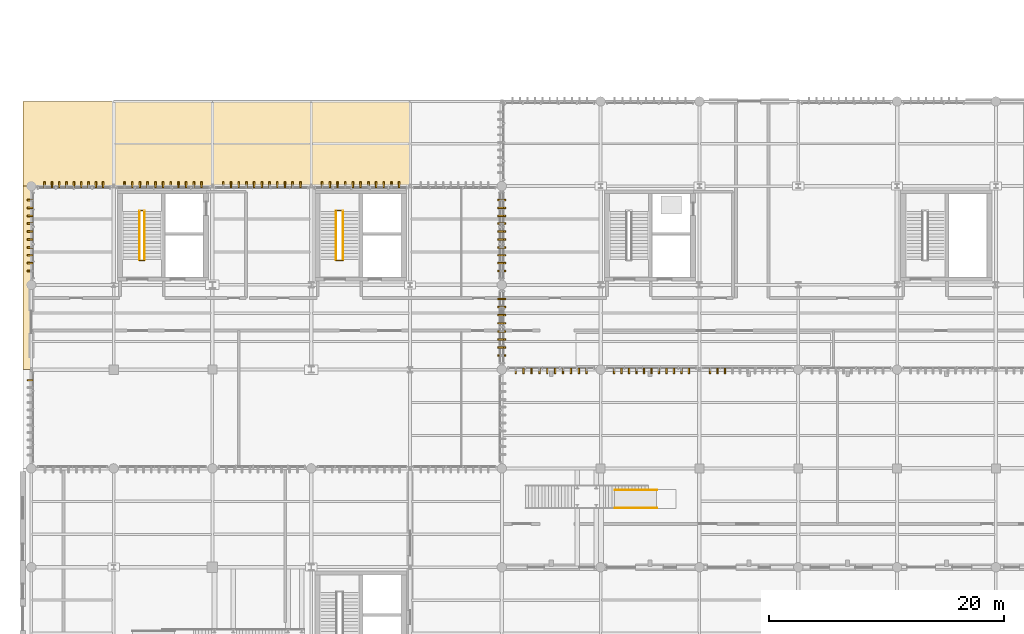
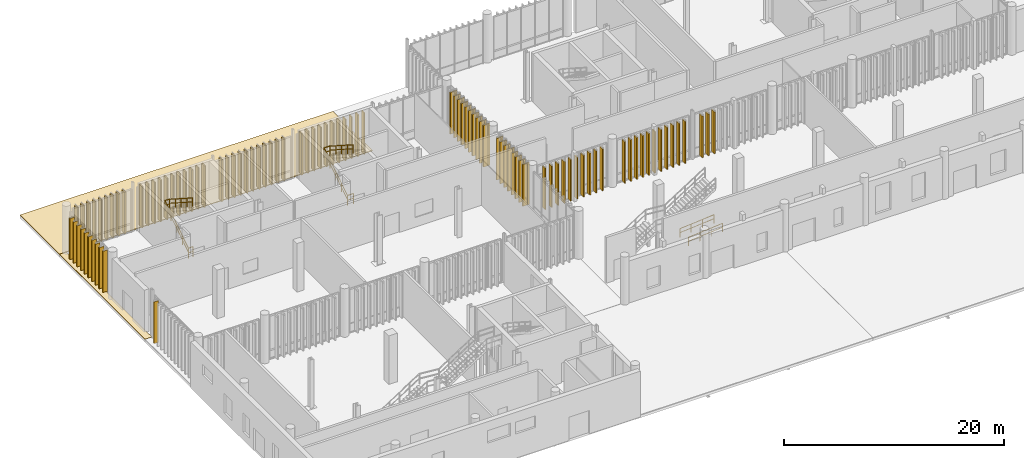
# One storey, part 103 of 112: 115 coverings, 10 railings, 2 elements without a shape of their own.
"""IFC4 building model written with IfcOpenShell, lengths in metres."""

import ifcopenshell
import ifcopenshell.guid

model = None  # the IFC model being written
_history = None  # IfcOwnerHistory: only IFC2X3 demands one
_inside = {}  # id of a spatial element -> (the spatial element, [elements in it])
_under = {}  # id of a project, library or spatial element -> (it, [spatial elements below it])
_declared = {}  # id of a project -> (the project, [libraries it declares])
_typed = {}  # id of a type object -> (the type object, [elements of that type])
_made_of = {}  # id of a material, layer set ... -> (it, [elements and type objects made of it])


def new_model(schema):
    """Start an empty IFC model of exactly this schema.

    Asked for "IFC4X3", IfcOpenShell would pick the latest addendum, in which some entities
    have other attributes; the version numbers below select the first issue.
    IFC2X3 requires an IfcOwnerHistory on every rooted entity: one is made here for all.
    """
    global model, _history
    if schema == "IFC4X3":
        model = ifcopenshell.file(schema_version=(4, 3, 0, 0))
    else:
        model = ifcopenshell.file(schema=schema)
    _inside.clear()
    _under.clear()
    _declared.clear()
    _typed.clear()
    _made_of.clear()
    _history = None
    if model.schema == "IFC2X3":
        org = make("IfcOrganization", Name="unknown")
        user = make(
            "IfcPersonAndOrganization",
            ThePerson=make("IfcPerson", FamilyName="unknown"),
            TheOrganization=org,
        )
        app = make(
            "IfcApplication",
            ApplicationDeveloper=org,
            Version="unknown",
            ApplicationFullName="unknown",
            ApplicationIdentifier="unknown",
        )
        _history = make(
            "IfcOwnerHistory",
            OwningUser=user,
            OwningApplication=app,
            ChangeAction="ADDED",
            CreationDate=0,
        )
    return model


def make(cls, **values):
    """One entity of the class cls with the attributes given. An attribute that is None is left unset."""
    return model.create_entity(
        cls, **{name: value for name, value in values.items() if value is not None}
    )


def rooted(cls, **values):
    """An entity with a GlobalId (a new one), such as an element, a storey or a relation."""
    return make(cls, GlobalId=ifcopenshell.guid.new(), OwnerHistory=_history, **values)


def si_unit(unit_type, name, prefix=None):
    """IfcSIUnit, for example si_unit("LENGTHUNIT", "METRE", prefix="MILLI")."""
    return make("IfcSIUnit", UnitType=unit_type, Prefix=prefix, Name=name)


def assignment(units):
    """IfcUnitAssignment: the units of a project."""
    return None if units is None else make("IfcUnitAssignment", Units=units)


def point(xyz):
    """IfcCartesianPoint."""
    return None if xyz is None else make("IfcCartesianPoint", Coordinates=xyz)


def direction(xyz):
    """IfcDirection."""
    return None if xyz is None else make("IfcDirection", DirectionRatios=xyz)


def frame(location, z_axis=None, x_axis=None):
    """IfcAxis2Placement3D, a coordinate frame: its origin and axes. An axis left out is left unset."""
    return make(
        "IfcAxis2Placement3D",
        Location=point(location),
        Axis=direction(z_axis),
        RefDirection=direction(x_axis),
    )


def frame_2d(location, x_axis=None):
    """IfcAxis2Placement2D, a coordinate frame in the plane: its origin and x axis."""
    return make(
        "IfcAxis2Placement2D", Location=point(location), RefDirection=direction(x_axis)
    )


def origin_with_axes():
    """The frame at (0, 0, 0) with the z axis (0, 0, 1) and the x axis (1, 0, 0) written out."""
    return frame((0.0, 0.0, 0.0), z_axis=(0.0, 0.0, 1.0), x_axis=(1.0, 0.0, 0.0))


def origin_2d_with_axis():
    """The frame at (0, 0) in the plane with the x axis (1, 0) written out."""
    return frame_2d((0.0, 0.0), x_axis=(1.0, 0.0))


def place(relative_to, where):
    """IfcLocalPlacement: puts the frame where relative to a parent placement (None: the world)."""
    return make(
        "IfcLocalPlacement", PlacementRelTo=relative_to, RelativePlacement=where
    )


def context(
    kind, dimensions, precision=None, world=None, true_north=None, identifier=None
):
    """IfcGeometricRepresentationContext, for example the 3D "Model" context."""
    return make(
        "IfcGeometricRepresentationContext",
        ContextIdentifier=identifier,
        ContextType=kind,
        CoordinateSpaceDimension=dimensions,
        Precision=precision,
        WorldCoordinateSystem=world,
        TrueNorth=true_north,
    )


def subcontext(parent, identifier, kind, view, scale=None):
    """IfcGeometricRepresentationSubContext, for example "Body" below "Model"."""
    return make(
        "IfcGeometricRepresentationSubContext",
        ContextIdentifier=identifier,
        ContextType=kind,
        ParentContext=parent,
        TargetScale=scale,
        TargetView=view,
    )


def project(units=None, contexts=None):
    """IfcProject with its units and contexts."""
    return rooted(
        "IfcProject",
        Name="project",
        RepresentationContexts=contexts,
        UnitsInContext=assignment(units),
    )


def spatial(cls, under=None, at=None, **own):
    """A site, building, storey or space (cls), placed at a placement, below another one or the project."""
    s = rooted(cls, ObjectPlacement=at, **own)
    if under is not None:
        _under.setdefault(under.id(), (under, []))[1].append(s)
    return s


def polyline(points):
    """IfcPolyline through the points."""
    return make("IfcPolyline", Points=[point(p) for p in points])


def profile(cls, at=None, kind="AREA", **sizes):
    """A parametric profile (cls). Its sizes go by their IFC names, for example OverallWidth=200.0."""
    return make(cls, ProfileType=kind, Position=at, **sizes)


def rectangle(**sizes):
    """IfcRectangleProfileDef."""
    return profile("IfcRectangleProfileDef", **sizes)


def circle(**sizes):
    """IfcCircleProfileDef."""
    return profile("IfcCircleProfileDef", **sizes)


def outline(outer, holes=None, kind="AREA"):
    """IfcArbitraryClosedProfileDef: a profile drawn as a closed curve; with holes, ...WithVoids."""
    if holes is None:
        return make("IfcArbitraryClosedProfileDef", ProfileType=kind, OuterCurve=outer)
    return make(
        "IfcArbitraryProfileDefWithVoids",
        ProfileType=kind,
        OuterCurve=outer,
        InnerCurves=holes,
    )


def extrude(swept, where, along, depth):
    """IfcExtrudedAreaSolid: the profile swept, set in the frame where, extruded along a direction by depth."""
    return make(
        "IfcExtrudedAreaSolid",
        SweptArea=swept,
        Position=where,
        ExtrudedDirection=direction(along),
        Depth=depth,
    )


def shape(context_of_items, identifier, shape_type, items):
    """IfcShapeRepresentation: the items that make up one representation, for example the "Body"."""
    return make(
        "IfcShapeRepresentation",
        ContextOfItems=context_of_items,
        RepresentationIdentifier=identifier,
        RepresentationType=shape_type,
        Items=items,
    )


def material(Name=None, Category=None):
    """IfcMaterial."""
    return make("IfcMaterial", Name=Name, Category=Category)


def made_of(thing, what):
    """Note that an element or type object is made of a material, layer set ...; save() writes the relation."""
    if what is not None:
        _made_of.setdefault(what.id(), (what, []))[1].append(thing)
    return thing


def type_object(cls, material=None, **own):
    """A type object (cls), such as IfcWallType, which elements share."""
    return made_of(rooted(cls, **own), material)


def element(
    cls,
    number,
    at=None,
    inside=None,
    cuts=None,
    type_object=None,
    material=None,
    context=None,
    identifier="Body",
    shape_type=None,
    held_by="IfcProductDefinitionShape",
    body=None,
    shapes=None,
    **own,
):
    """One element of the class cls, such as IfcWall. Its Tag is "e" and its number.

    at: its placement. inside: the storey or other place that contains it. cuts: it is an
    opening in that element (IfcRelVoidsElement). A single representation is given by context,
    identifier, shape_type and body (its items); several are given by shapes. held_by: the class
    of the entity that holds the representations. save() writes the other relations.
    """
    e = rooted(cls, Tag="e%d" % number, ObjectPlacement=at, **own)
    if body is not None:
        shapes = [shape(context, identifier, shape_type, body)]
    if shapes is not None:
        e.Representation = make(held_by, Representations=shapes)
    if inside is not None:
        _inside.setdefault(inside.id(), (inside, []))[1].append(e)
    if cuts is not None:
        rooted(
            "IfcRelVoidsElement", RelatingBuildingElement=cuts, RelatedOpeningElement=e
        )
    if type_object is not None:
        _typed.setdefault(type_object.id(), (type_object, []))[1].append(e)
    return made_of(e, material)


def aggregate(whole, parts):
    """IfcRelAggregates: a whole, such as a stair, and the parts it consists of."""
    return rooted("IfcRelAggregates", RelatingObject=whole, RelatedObjects=parts)


def save(model, path):
    """Write the relations noted so far, then the file.

    IfcRelAggregates (storeys below a building ...), IfcRelContainedInSpatialStructure (elements
    in a storey), IfcRelDefinesByType, IfcRelAssociatesMaterial and IfcRelDeclares: one each for
    every whole, place, type object, material and project.
    """
    for whole, parts in _under.values():
        aggregate(whole, parts)
    for where, things in _inside.values():
        rooted(
            "IfcRelContainedInSpatialStructure",
            RelatedElements=things,
            RelatingStructure=where,
        )
    for kind, things in _typed.values():
        rooted("IfcRelDefinesByType", RelatedObjects=things, RelatingType=kind)
    for what, things in _made_of.values():
        rooted("IfcRelAssociatesMaterial", RelatedObjects=things, RelatingMaterial=what)
    for by, libraries in _declared.values():
        rooted("IfcRelDeclares", RelatingContext=by, RelatedDefinitions=libraries)
    model.write(path)


model = new_model("IFC4")

# Units and contexts
model_context = context("Model", 3, precision=1e-05, world=origin_with_axes(), true_north=direction((0.0, 1.0)))
body_context = subcontext(model_context, "Body", "Model", "MODEL_VIEW")
ifc_project = project(units=[si_unit("LENGTHUNIT", "METRE"), si_unit("AREAUNIT", "SQUARE_METRE"), si_unit("VOLUMEUNIT", "CUBIC_METRE"), si_unit("PLANEANGLEUNIT", "RADIAN"), si_unit("MASSUNIT", "GRAM", prefix="KILO"), si_unit("THERMODYNAMICTEMPERATUREUNIT", "KELVIN")], contexts=[model_context])

# Site, building, storey
site_placement = place(None, origin_with_axes())
site = spatial("IfcSite", under=ifc_project, at=site_placement, CompositionType="ELEMENT")
building_placement = place(site_placement, origin_with_axes())
building = spatial("IfcBuilding", under=site, at=building_placement, Name="Montbau Bow Law Courts", CompositionType="ELEMENT")
storey_placement = place(building_placement, origin_with_axes())
storey = spatial("IfcBuildingStorey", under=building, at=storey_placement, Name="L00", CompositionType="ELEMENT", Elevation=0.0)

# Coverings
ifc_material_1 = material(Name="Freeze-Thaw Glazed Warm Cream Ceramic Vertical Louvre", Category="masonry")
covering_type_1 = type_object("IfcCoveringType", Name="CV-LVR-CRM", PredefinedType="CLADDING", material=ifc_material_1)
for number, where, z_axis, x_axis, name in (
    (1, (47.985, 39.13, 0.0), (-1.0, 0.0, 0.0), (0.0, -1.0, 0.0), "CLV-L00-1084:cov_1129"),
    (2, (48.655, 39.13, 0.0), (-1.0, 0.0, 0.0), (0.0, -1.0, 0.0), "CLV-L00-1085:cov_1130"),
    (3, (49.325, 39.13, 0.0), (-1.0, 0.0, 0.0), (0.0, -1.0, 0.0), "CLV-L00-1086:cov_1131"),
    (4, (49.995, 39.13, 0.0), (-1.0, 0.0, 0.0), (0.0, -1.0, 0.0), "CLV-L00-1087:cov_1132"),
    (5, (50.665, 39.13, 0.0), (-1.0, 0.0, 0.0), (0.0, -1.0, 0.0), "CLV-L00-1088:cov_1133"),
    (6, (51.335, 39.13, 0.0), (-1.0, 0.0, 0.0), (0.0, -1.0, 0.0), "CLV-L00-1089:cov_1134"),
    (7, (52.005, 39.13, 0.0), (-1.0, 0.0, 0.0), (0.0, -1.0, 0.0), "CLV-L00-1090:cov_1135"),
    (8, (52.675, 39.13, 0.0), (-1.0, 0.0, 0.0), (0.0, -1.0, 0.0), "CLV-L00-1091:cov_1136"),
    (9, (53.345, 39.13, 0.0), (-1.0, 0.0, 0.0), (0.0, -1.0, 0.0), "CLV-L00-1092:cov_1137"),
    (10, (54.015, 39.13, 0.0), (-1.0, 0.0, 0.0), (0.0, -1.0, 0.0), "CLV-L00-1093:cov_1138"),
    (11, (56.35, 39.13, 0.0), (-1.0, 0.0, 0.0), (0.0, -1.0, 0.0), "CLV-L00-1094:cov_1139"),
    (12, (56.984, 39.13, 0.0), (-1.0, 0.0, 0.0), (0.0, -1.0, 0.0), "CLV-L00-1095:cov_1140"),
    (13, (57.619, 39.13, 0.0), (-1.0, 0.0, 0.0), (0.0, -1.0, 0.0), "CLV-L00-1096:cov_1141"),
    (14, (58.254, 39.13, 0.0), (-1.0, 0.0, 0.0), (0.0, -1.0, 0.0), "CLV-L00-1097:cov_1142"),
    (15, (58.889, 39.13, 0.0), (-1.0, 0.0, 0.0), (0.0, -1.0, 0.0), "CLV-L00-1098:cov_1143"),
    (16, (59.523, 39.13, 0.0), (-1.0, 0.0, 0.0), (0.0, -1.0, 0.0), "CLV-L00-1099:cov_1144"),
    (17, (60.158, 39.13, 0.0), (-1.0, 0.0, 0.0), (0.0, -1.0, 0.0), "CLV-L00-1100:cov_1145"),
    (18, (60.793, 39.13, 0.0), (-1.0, 0.0, 0.0), (0.0, -1.0, 0.0), "CLV-L00-1101:cov_1146"),
    (19, (61.428, 39.13, 0.0), (-1.0, 0.0, 0.0), (0.0, -1.0, 0.0), "CLV-L00-1102:cov_1147"),
    (20, (62.062, 39.13, 0.0), (-1.0, 0.0, 0.0), (0.0, -1.0, 0.0), "CLV-L00-1103:cov_1148"),
    (21, (62.697, 39.13, 0.0), (-1.0, 0.0, 0.0), (0.0, -1.0, 0.0), "CLV-L00-1104:cov_1149"),
    (22, (64.503, 39.13, 0.0), (-1.0, 0.0, 0.0), (0.0, -1.0, 0.0), "CLV-L00-1105:cov_1150"),
    (23, (65.137, 39.13, 0.0), (-1.0, 0.0, 0.0), (0.0, -1.0, 0.0), "CLV-L00-1106:cov_1151"),
    (24, (65.772, 39.13, 0.0), (-1.0, 0.0, 0.0), (0.0, -1.0, 0.0), "CLV-L00-1107:cov_1152"),
    (25, (46.93, 40.201, 0.0), (0.0, 1.0, 0.0), (-1.0, 0.0, 0.0), "CLV-L00-1187:cov_1232"),
    (26, (46.93, 40.886, 0.0), (0.0, 1.0, 0.0), (-1.0, 0.0, 0.0), "CLV-L00-1188:cov_1233"),
    (27, (46.93, 41.572, 0.0), (0.0, 1.0, 0.0), (-1.0, 0.0, 0.0), "CLV-L00-1189:cov_1234"),
    (28, (46.93, 42.257, 0.0), (0.0, 1.0, 0.0), (-1.0, 0.0, 0.0), "CLV-L00-1190:cov_1235"),
    (29, (46.93, 42.943, 0.0), (0.0, 1.0, 0.0), (-1.0, 0.0, 0.0), "CLV-L00-1191:cov_1236"),
    (30, (46.93, 43.628, 0.0), (0.0, 1.0, 0.0), (-1.0, 0.0, 0.0), "CLV-L00-1192:cov_1237"),
    (31, (46.93, 44.314, 0.0), (0.0, 1.0, 0.0), (-1.0, 0.0, 0.0), "CLV-L00-1193:cov_1238"),
    (32, (46.93, 44.999, 0.0), (0.0, 1.0, 0.0), (-1.0, 0.0, 0.0), "CLV-L00-1194:cov_1239"),
    (33, (46.93, 47.385, 0.0), (0.0, 1.0, 0.0), (-1.0, 0.0, 0.0), "CLV-L00-1195:cov_1240"),
    (34, (46.93, 48.055, 0.0), (0.0, 1.0, 0.0), (-1.0, 0.0, 0.0), "CLV-L00-1196:cov_1241"),
    (35, (46.93, 48.725, 0.0), (0.0, 1.0, 0.0), (-1.0, 0.0, 0.0), "CLV-L00-1197:cov_1242"),
    (36, (46.93, 49.395, 0.0), (0.0, 1.0, 0.0), (-1.0, 0.0, 0.0), "CLV-L00-1198:cov_1243"),
    (37, (46.93, 50.065, 0.0), (0.0, 1.0, 0.0), (-1.0, 0.0, 0.0), "CLV-L00-1199:cov_1244"),
    (38, (46.93, 50.735, 0.0), (0.0, 1.0, 0.0), (-1.0, 0.0, 0.0), "CLV-L00-1200:cov_1245"),
    (39, (46.93, 51.405, 0.0), (0.0, 1.0, 0.0), (-1.0, 0.0, 0.0), "CLV-L00-1201:cov_1246"),
    (40, (46.93, 52.075, 0.0), (0.0, 1.0, 0.0), (-1.0, 0.0, 0.0), "CLV-L00-1202:cov_1247"),
    (41, (46.93, 52.745, 0.0), (0.0, 1.0, 0.0), (-1.0, 0.0, 0.0), "CLV-L00-1203:cov_1248"),
    (42, (46.93, 53.415, 0.0), (0.0, 1.0, 0.0), (-1.0, 0.0, 0.0), "CLV-L00-1204:cov_1249"),
):
    element("IfcCovering", number, at=place(None, frame(where, z_axis=z_axis, x_axis=x_axis)), inside=storey, type_object=covering_type_1, Name=name, PredefinedType="CLADDING", context=body_context, shape_type="SweptSolid", body=[
        extrude(rectangle(XDim=0.48, YDim=4.64, at=frame_2d((0.24, 2.32), x_axis=(1.0, 0.0))), frame((0.0, 0.0, -0.06), z_axis=(0.0, 0.0, 1.0), x_axis=(1.0, 0.0, 0.0)), (0.0, 0.0, 1.0), 0.12),
    ])
ifc_material_2 = material(Name="Freeze-Thaw Glazed Terracotta-Red Ceramic Vertical Louvre", Category="masonry")
covering_type_2 = type_object("IfcCoveringType", Name="CV-LVR-RED", PredefinedType="CLADDING", material=ifc_material_2)
for number, where, z_axis, x_axis, name in (
    (43, (7.937, 54.47, 0.0), (1.0, 0.0, 0.0), (0.0, 1.0, 0.0), "CLV-L00-0050:cov_0095"),
    (44, (8.559, 54.47, 0.0), (1.0, 0.0, 0.0), (0.0, 1.0, 0.0), "CLV-L00-0051:cov_0096"),
    (45, (9.18, 54.47, 0.0), (1.0, 0.0, 0.0), (0.0, 1.0, 0.0), "CLV-L00-0052:cov_0097"),
    (46, (9.802, 54.47, 0.0), (1.0, 0.0, 0.0), (0.0, 1.0, 0.0), "CLV-L00-0053:cov_0098"),
    (47, (10.424, 54.47, 0.0), (1.0, 0.0, 0.0), (0.0, 1.0, 0.0), "CLV-L00-0054:cov_0099"),
    (48, (11.046, 54.47, 0.0), (1.0, 0.0, 0.0), (0.0, 1.0, 0.0), "CLV-L00-0055:cov_0100"),
    (49, (11.668, 54.47, 0.0), (1.0, 0.0, 0.0), (0.0, 1.0, 0.0), "CLV-L00-0056:cov_0101"),
    (50, (12.289, 54.47, 0.0), (1.0, 0.0, 0.0), (0.0, 1.0, 0.0), "CLV-L00-0057:cov_0102"),
    (51, (12.911, 54.47, 0.0), (1.0, 0.0, 0.0), (0.0, 1.0, 0.0), "CLV-L00-0058:cov_0103"),
    (52, (14.723, 54.47, 0.0), (1.0, 0.0, 0.0), (0.0, 1.0, 0.0), "CLV-L00-0059:cov_0104"),
    (53, (15.379, 54.47, 0.0), (1.0, 0.0, 0.0), (0.0, 1.0, 0.0), "CLV-L00-0060:cov_0105"),
    (54, (16.034, 54.47, 0.0), (1.0, 0.0, 0.0), (0.0, 1.0, 0.0), "CLV-L00-0061:cov_0106"),
    (55, (16.69, 54.47, 0.0), (1.0, 0.0, 0.0), (0.0, 1.0, 0.0), "CLV-L00-0062:cov_0107"),
    (56, (17.345, 54.47, 0.0), (1.0, 0.0, 0.0), (0.0, 1.0, 0.0), "CLV-L00-0063:cov_0108"),
    (57, (18.001, 54.47, 0.0), (1.0, 0.0, 0.0), (0.0, 1.0, 0.0), "CLV-L00-0064:cov_0109"),
    (58, (18.656, 54.47, 0.0), (1.0, 0.0, 0.0), (0.0, 1.0, 0.0), "CLV-L00-0065:cov_0110"),
    (59, (19.311, 54.47, 0.0), (1.0, 0.0, 0.0), (0.0, 1.0, 0.0), "CLV-L00-0066:cov_0111"),
    (60, (19.967, 54.47, 0.0), (1.0, 0.0, 0.0), (0.0, 1.0, 0.0), "CLV-L00-0067:cov_0112"),
    (61, (20.622, 54.47, 0.0), (1.0, 0.0, 0.0), (0.0, 1.0, 0.0), "CLV-L00-0068:cov_0113"),
    (62, (21.278, 54.47, 0.0), (1.0, 0.0, 0.0), (0.0, 1.0, 0.0), "CLV-L00-0069:cov_0114"),
    (63, (23.122, 54.47, 0.0), (1.0, 0.0, 0.0), (0.0, 1.0, 0.0), "CLV-L00-0070:cov_0115"),
    (64, (23.778, 54.47, 0.0), (1.0, 0.0, 0.0), (0.0, 1.0, 0.0), "CLV-L00-0071:cov_0116"),
    (65, (24.433, 54.47, 0.0), (1.0, 0.0, 0.0), (0.0, 1.0, 0.0), "CLV-L00-0072:cov_0117"),
    (66, (25.089, 54.47, 0.0), (1.0, 0.0, 0.0), (0.0, 1.0, 0.0), "CLV-L00-0073:cov_0118"),
    (67, (25.744, 54.47, 0.0), (1.0, 0.0, 0.0), (0.0, 1.0, 0.0), "CLV-L00-0074:cov_0119"),
    (68, (26.4, 54.47, 0.0), (1.0, 0.0, 0.0), (0.0, 1.0, 0.0), "CLV-L00-0075:cov_0120"),
    (69, (27.055, 54.47, 0.0), (1.0, 0.0, 0.0), (0.0, 1.0, 0.0), "CLV-L00-0076:cov_0121"),
    (70, (27.711, 54.47, 0.0), (1.0, 0.0, 0.0), (0.0, 1.0, 0.0), "CLV-L00-0077:cov_0122"),
    (71, (28.366, 54.47, 0.0), (1.0, 0.0, 0.0), (0.0, 1.0, 0.0), "CLV-L00-0078:cov_0123"),
    (72, (29.022, 54.47, 0.0), (1.0, 0.0, 0.0), (0.0, 1.0, 0.0), "CLV-L00-0079:cov_0124"),
    (73, (29.677, 54.47, 0.0), (1.0, 0.0, 0.0), (0.0, 1.0, 0.0), "CLV-L00-0080:cov_0125"),
    (74, (31.522, 54.47, 0.0), (1.0, 0.0, 0.0), (0.0, 1.0, 0.0), "CLV-L00-0081:cov_0126"),
    (75, (32.178, 54.47, 0.0), (1.0, 0.0, 0.0), (0.0, 1.0, 0.0), "CLV-L00-0082:cov_0127"),
    (76, (32.833, 54.47, 0.0), (1.0, 0.0, 0.0), (0.0, 1.0, 0.0), "CLV-L00-0083:cov_0128"),
    (77, (33.489, 54.47, 0.0), (1.0, 0.0, 0.0), (0.0, 1.0, 0.0), "CLV-L00-0084:cov_0129"),
    (78, (34.144, 54.47, 0.0), (1.0, 0.0, 0.0), (0.0, 1.0, 0.0), "CLV-L00-0085:cov_0130"),
    (79, (34.799, 54.47, 0.0), (1.0, 0.0, 0.0), (0.0, 1.0, 0.0), "CLV-L00-0086:cov_0131"),
    (80, (35.455, 54.47, 0.0), (1.0, 0.0, 0.0), (0.0, 1.0, 0.0), "CLV-L00-0087:cov_0132"),
    (81, (36.11, 54.47, 0.0), (1.0, 0.0, 0.0), (0.0, 1.0, 0.0), "CLV-L00-0088:cov_0133"),
    (82, (36.766, 54.47, 0.0), (1.0, 0.0, 0.0), (0.0, 1.0, 0.0), "CLV-L00-0089:cov_0134"),
    (83, (37.421, 54.47, 0.0), (1.0, 0.0, 0.0), (0.0, 1.0, 0.0), "CLV-L00-0090:cov_0135"),
    (84, (38.077, 54.47, 0.0), (1.0, 0.0, 0.0), (0.0, 1.0, 0.0), "CLV-L00-0091:cov_0136"),
    (85, (6.93, 38.097, 0.0), (0.0, 1.0, 0.0), (-1.0, 0.0, 0.0), "CLV-L00-0112:cov_0157"),
    (86, (6.93, 47.385, 0.0), (0.0, 1.0, 0.0), (-1.0, 0.0, 0.0), "CLV-L00-0113:cov_0158"),
    (87, (6.93, 48.055, 0.0), (0.0, 1.0, 0.0), (-1.0, 0.0, 0.0), "CLV-L00-0114:cov_0159"),
    (88, (6.93, 48.725, 0.0), (0.0, 1.0, 0.0), (-1.0, 0.0, 0.0), "CLV-L00-0115:cov_0160"),
    (89, (6.93, 49.395, 0.0), (0.0, 1.0, 0.0), (-1.0, 0.0, 0.0), "CLV-L00-0116:cov_0161"),
    (90, (6.93, 50.065, 0.0), (0.0, 1.0, 0.0), (-1.0, 0.0, 0.0), "CLV-L00-0117:cov_0162"),
    (91, (6.93, 50.735, 0.0), (0.0, 1.0, 0.0), (-1.0, 0.0, 0.0), "CLV-L00-0118:cov_0163"),
    (92, (6.93, 51.405, 0.0), (0.0, 1.0, 0.0), (-1.0, 0.0, 0.0), "CLV-L00-0119:cov_0164"),
    (93, (6.93, 52.075, 0.0), (0.0, 1.0, 0.0), (-1.0, 0.0, 0.0), "CLV-L00-0120:cov_0165"),
    (94, (6.93, 52.745, 0.0), (0.0, 1.0, 0.0), (-1.0, 0.0, 0.0), "CLV-L00-0121:cov_0166"),
    (95, (6.93, 53.415, 0.0), (0.0, 1.0, 0.0), (-1.0, 0.0, 0.0), "CLV-L00-0122:cov_0167"),
    (96, (46.67, 40.201, 0.0), (0.0, -1.0, 0.0), (1.0, 0.0, 0.0), "CLV-L00-0133:cov_0178"),
    (97, (46.67, 40.886, 0.0), (0.0, -1.0, 0.0), (1.0, 0.0, 0.0), "CLV-L00-0134:cov_0179"),
    (98, (46.67, 41.572, 0.0), (0.0, -1.0, 0.0), (1.0, 0.0, 0.0), "CLV-L00-0135:cov_0180"),
    (99, (46.67, 42.257, 0.0), (0.0, -1.0, 0.0), (1.0, 0.0, 0.0), "CLV-L00-0136:cov_0181"),
    (100, (46.67, 42.943, 0.0), (0.0, -1.0, 0.0), (1.0, 0.0, 0.0), "CLV-L00-0137:cov_0182"),
    (101, (46.67, 43.628, 0.0), (0.0, -1.0, 0.0), (1.0, 0.0, 0.0), "CLV-L00-0138:cov_0183"),
    (102, (46.67, 44.314, 0.0), (0.0, -1.0, 0.0), (1.0, 0.0, 0.0), "CLV-L00-0139:cov_0184"),
    (103, (46.67, 44.999, 0.0), (0.0, -1.0, 0.0), (1.0, 0.0, 0.0), "CLV-L00-0140:cov_0185"),
    (104, (46.67, 47.385, 0.0), (0.0, -1.0, 0.0), (1.0, 0.0, 0.0), "CLV-L00-0141:cov_0186"),
    (105, (46.67, 48.055, 0.0), (0.0, -1.0, 0.0), (1.0, 0.0, 0.0), "CLV-L00-0142:cov_0187"),
    (106, (46.67, 48.725, 0.0), (0.0, -1.0, 0.0), (1.0, 0.0, 0.0), "CLV-L00-0143:cov_0188"),
    (107, (46.67, 49.395, 0.0), (0.0, -1.0, 0.0), (1.0, 0.0, 0.0), "CLV-L00-0144:cov_0189"),
    (108, (46.67, 50.065, 0.0), (0.0, -1.0, 0.0), (1.0, 0.0, 0.0), "CLV-L00-0145:cov_0190"),
    (109, (46.67, 50.735, 0.0), (0.0, -1.0, 0.0), (1.0, 0.0, 0.0), "CLV-L00-0146:cov_0191"),
    (110, (46.67, 51.405, 0.0), (0.0, -1.0, 0.0), (1.0, 0.0, 0.0), "CLV-L00-0147:cov_0192"),
    (111, (46.67, 52.075, 0.0), (0.0, -1.0, 0.0), (1.0, 0.0, 0.0), "CLV-L00-0148:cov_0193"),
    (112, (46.67, 52.745, 0.0), (0.0, -1.0, 0.0), (1.0, 0.0, 0.0), "CLV-L00-0149:cov_0194"),
    (113, (46.67, 53.415, 0.0), (0.0, -1.0, 0.0), (1.0, 0.0, 0.0), "CLV-L00-0150:cov_0195"),
):
    element("IfcCovering", number, at=place(None, frame(where, z_axis=z_axis, x_axis=x_axis)), inside=storey, type_object=covering_type_2, Name=name, PredefinedType="CLADDING", context=body_context, shape_type="SweptSolid", body=[
        extrude(rectangle(XDim=0.48, YDim=4.64, at=frame_2d((0.24, 2.32), x_axis=(1.0, 0.0))), frame((0.0, 0.0, -0.06), z_axis=(0.0, 0.0, 1.0), x_axis=(1.0, 0.0, 0.0)), (0.0, 0.0, 1.0), 0.12),
    ])

# Roof, covering
ifc_material_3 = material(Name="Insulated Inverted Membrane Roof", Category="other")
roof_type = type_object("IfcRoofType", Name="RF-FL-01", PredefinedType="FLAT_ROOF", material=ifc_material_3)
roof_1_placement = place(None, frame((6.08, 39.004, 0.0), z_axis=(0.0, 0.0, 1.0), x_axis=(1.0, 0.0, 0.0)))
roof_1 = element("IfcRoof", 114, at=roof_1_placement, inside=storey, type_object=roof_type, Name="ROOF-LID-L00-06:rof_0011", PredefinedType="FLAT_ROOF")
ifc_material_4 = material(Name="Standing-Seam Pre-Weathered Zinc Roofing Membrane", Category="steel")
covering_type_3 = type_object("IfcCoveringType", Name="CV-ROF-01", PredefinedType="ROOFING", material=ifc_material_4)
covering_1_placement = place(None, origin_with_axes())
covering_1 = element("IfcCovering", 115, at=covering_1_placement, type_object=covering_type_3, Name="CVR-LID-L00-06:cov_0011", PredefinedType="ROOFING", context=body_context, shape_type="SweptSolid", body=[
    extrude(outline(polyline([(6.796, 39.004), (6.08, 39.004), (6.08, 54.596), (6.796, 54.596), (6.796, 39.004)])), origin_with_axes(), (0.0, 0.0, 1.0), 0.06),
])
aggregate(roof_1, [covering_1])

roof_2_placement = place(None, frame((6.08, 54.604, 0.0), z_axis=(0.0, 0.0, 1.0), x_axis=(1.0, 0.0, 0.0)))
roof_2 = element("IfcRoof", 116, at=roof_2_placement, inside=storey, type_object=roof_type, Name="ROOF-LID-L00-08:rof_0013", PredefinedType="FLAT_ROOF")
covering_2_placement = place(None, origin_with_axes())
covering_2 = element("IfcCovering", 117, at=covering_2_placement, type_object=covering_type_3, Name="CVR-LID-L00-08:cov_0013", PredefinedType="ROOFING", context=body_context, shape_type="SweptSolid", body=[
    extrude(outline(polyline([(38.996, 54.604), (6.08, 54.604), (6.08, 61.8), (38.996, 61.8), (38.996, 54.604)])), origin_with_axes(), (0.0, 0.0, 1.0), 0.06),
])
aggregate(roof_2, [covering_2])

# Railings
ifc_material_5 = material(Name="Architectural Bronze-Finished Steel Stair Guard", Category="steel")
railing_type_1 = type_object("IfcRailingType", Name="RL-GRD-1100", PredefinedType="GUARDRAIL", material=ifc_material_5)
railing_1_placement = place(None, origin_with_axes())
element("IfcRailing", 118, at=railing_1_placement, inside=storey, type_object=railing_type_1, Name="SG-ST-P1-L00-ML:rlg_0036", PredefinedType="GUARDRAIL", context=body_context, shape_type="SweptSolid", body=[
    extrude(circle(Radius=0.0225, at=origin_2d_with_axis()), frame((15.985, 52.53, 3.802), z_axis=(1.0, 0.0, 0.0), x_axis=(0.0, 0.0, 1.0)), (0.0, 0.0, 1.0), 0.455),
    extrude(circle(Radius=0.02025, at=origin_2d_with_axis()), frame((15.985, 52.53, 3.272), z_axis=(1.0, 0.0, 0.0), x_axis=(0.0, 0.0, 1.0)), (0.0, 0.0, 1.0), 0.455),
    extrude(circle(Radius=0.02025, at=origin_2d_with_axis()), frame((15.985, 52.53, 2.7), z_axis=(0.0, 0.0, 1.0), x_axis=(1.0, 0.0, 0.0)), (0.0, 0.0, 1.0), 1.07525),
    extrude(circle(Radius=0.02025, at=origin_2d_with_axis()), frame((16.44, 52.53, 2.7), z_axis=(0.0, 0.0, 1.0), x_axis=(1.0, 0.0, 0.0)), (0.0, 0.0, 1.0), 1.07525),
])
railing_2_placement = place(None, origin_with_axes())
element("IfcRailing", 119, at=railing_2_placement, inside=storey, type_object=railing_type_1, Name="SG-ST-P1-L00-BL:rlg_0037", PredefinedType="GUARDRAIL", context=body_context, shape_type="SweptSolid", body=[
    extrude(circle(Radius=0.0225, at=origin_2d_with_axis()), frame((15.985, 48.27, 1.102), z_axis=(1.0, 0.0, 0.0), x_axis=(0.0, 0.0, 1.0)), (0.0, 0.0, 1.0), 0.455),
    extrude(circle(Radius=0.02025, at=origin_2d_with_axis()), frame((15.985, 48.27, 0.572), z_axis=(1.0, 0.0, 0.0), x_axis=(0.0, 0.0, 1.0)), (0.0, 0.0, 1.0), 0.455),
    extrude(circle(Radius=0.02025, at=origin_2d_with_axis()), frame((15.985, 48.27, 0.0), z_axis=(0.0, 0.0, 1.0), x_axis=(1.0, 0.0, 0.0)), (0.0, 0.0, 1.0), 1.07525),
    extrude(circle(Radius=0.02025, at=origin_2d_with_axis()), frame((16.44, 48.27, 0.0), z_axis=(0.0, 0.0, 1.0), x_axis=(1.0, 0.0, 0.0)), (0.0, 0.0, 1.0), 1.07525),
])
railing_3_placement = place(None, origin_with_axes())
element("IfcRailing", 120, at=railing_3_placement, inside=storey, type_object=railing_type_1, Name="SG-ST-J1-L00-ML:rlg_0068", PredefinedType="GUARDRAIL", context=body_context, shape_type="SweptSolid", body=[
    extrude(circle(Radius=0.0225, at=origin_2d_with_axis()), frame((32.705, 52.53, 3.802), z_axis=(1.0, 0.0, 0.0), x_axis=(0.0, 0.0, 1.0)), (0.0, 0.0, 1.0), 0.615),
    extrude(circle(Radius=0.02025, at=origin_2d_with_axis()), frame((32.705, 52.53, 3.272), z_axis=(1.0, 0.0, 0.0), x_axis=(0.0, 0.0, 1.0)), (0.0, 0.0, 1.0), 0.615),
    extrude(circle(Radius=0.02025, at=origin_2d_with_axis()), frame((32.705, 52.53, 2.7), z_axis=(0.0, 0.0, 1.0), x_axis=(1.0, 0.0, 0.0)), (0.0, 0.0, 1.0), 1.07525),
    extrude(circle(Radius=0.02025, at=origin_2d_with_axis()), frame((33.32, 52.53, 2.7), z_axis=(0.0, 0.0, 1.0), x_axis=(1.0, 0.0, 0.0)), (0.0, 0.0, 1.0), 1.07525),
])
railing_4_placement = place(None, origin_with_axes())
element("IfcRailing", 121, at=railing_4_placement, inside=storey, type_object=railing_type_1, Name="SG-ST-J1-L00-BL:rlg_0069", PredefinedType="GUARDRAIL", context=body_context, shape_type="SweptSolid", body=[
    extrude(circle(Radius=0.0225, at=origin_2d_with_axis()), frame((32.705, 48.27, 1.102), z_axis=(1.0, 0.0, 0.0), x_axis=(0.0, 0.0, 1.0)), (0.0, 0.0, 1.0), 0.615),
    extrude(circle(Radius=0.02025, at=origin_2d_with_axis()), frame((32.705, 48.27, 0.572), z_axis=(1.0, 0.0, 0.0), x_axis=(0.0, 0.0, 1.0)), (0.0, 0.0, 1.0), 0.615),
    extrude(circle(Radius=0.02025, at=origin_2d_with_axis()), frame((32.705, 48.27, 0.0), z_axis=(0.0, 0.0, 1.0), x_axis=(1.0, 0.0, 0.0)), (0.0, 0.0, 1.0), 1.07525),
    extrude(circle(Radius=0.02025, at=origin_2d_with_axis()), frame((33.32, 48.27, 0.0), z_axis=(0.0, 0.0, 1.0), x_axis=(1.0, 0.0, 0.0)), (0.0, 0.0, 1.0), 1.07525),
])
ifc_material_6 = material(Name="White-Oak and Stainless Continuous Stair Handrail", Category="steel")
railing_type_2 = type_object("IfcRailingType", Name="RL-HND-0920", PredefinedType="HANDRAIL", material=ifc_material_6)
railing_5_placement = place(None, origin_with_axes())
element("IfcRailing", 122, at=railing_5_placement, inside=storey, type_object=railing_type_2, Name="HR-ST-P1-L00-1:rlg_0038", PredefinedType="HANDRAIL", context=body_context, shape_type="SweptSolid", body=[
    extrude(circle(Radius=0.021, at=origin_2d_with_axis()), frame((15.985, 48.3, 1.102), z_axis=(0.0, 0.841178475, 0.540757591), x_axis=(0.0, -0.540757591, 0.841178475)), (0.0, 0.0, 1.0), 4.992995),
    extrude(circle(Radius=0.0189, at=origin_2d_with_axis()), frame((15.985, 48.3, 0.6584), z_axis=(0.0, 0.841178475, 0.540757591), x_axis=(0.0, -0.540757591, 0.841178475)), (0.0, 0.0, 1.0), 4.992995),
    extrude(circle(Radius=0.0189, at=origin_2d_with_axis()), frame((15.985, 48.3, 0.18), z_axis=(0.0, 0.0, 1.0), x_axis=(1.0, 0.0, 0.0)), (0.0, 0.0, 1.0), 0.8969),
    extrude(circle(Radius=0.0189, at=origin_2d_with_axis()), frame((15.985, 49.35, 0.855), z_axis=(0.0, 0.0, 1.0), x_axis=(1.0, 0.0, 0.0)), (0.0, 0.0, 1.0), 0.8969),
    extrude(circle(Radius=0.0189, at=origin_2d_with_axis()), frame((15.985, 50.4, 1.53), z_axis=(0.0, 0.0, 1.0), x_axis=(1.0, 0.0, 0.0)), (0.0, 0.0, 1.0), 0.8969),
    extrude(circle(Radius=0.0189, at=origin_2d_with_axis()), frame((15.985, 51.45, 2.205), z_axis=(0.0, 0.0, 1.0), x_axis=(1.0, 0.0, 0.0)), (0.0, 0.0, 1.0), 0.8969),
    extrude(circle(Radius=0.0189, at=origin_2d_with_axis()), frame((15.985, 52.5, 2.88), z_axis=(0.0, 0.0, 1.0), x_axis=(1.0, 0.0, 0.0)), (0.0, 0.0, 1.0), 0.8969),
])
railing_6_placement = place(None, origin_with_axes())
element("IfcRailing", 123, at=railing_6_placement, inside=storey, type_object=railing_type_2, Name="HR-ST-P1-L00-2:rlg_0039", PredefinedType="HANDRAIL", context=body_context, shape_type="SweptSolid", body=[
    extrude(circle(Radius=0.021, at=origin_2d_with_axis()), frame((16.44, 52.5, 3.802), z_axis=(0.0, -0.841178475, 0.540757591), x_axis=(0.0, 0.540757591, 0.841178475)), (0.0, 0.0, 1.0), 4.992995),
    extrude(circle(Radius=0.0189, at=origin_2d_with_axis()), frame((16.44, 52.5, 3.3584), z_axis=(0.0, -0.841178475, 0.540757591), x_axis=(0.0, 0.540757591, 0.841178475)), (0.0, 0.0, 1.0), 4.992995),
    extrude(circle(Radius=0.0189, at=origin_2d_with_axis()), frame((16.44, 52.5, 2.88), z_axis=(0.0, 0.0, 1.0), x_axis=(1.0, 0.0, 0.0)), (0.0, 0.0, 1.0), 0.8969),
    extrude(circle(Radius=0.0189, at=origin_2d_with_axis()), frame((16.44, 51.45, 3.555), z_axis=(0.0, 0.0, 1.0), x_axis=(1.0, 0.0, 0.0)), (0.0, 0.0, 1.0), 0.8969),
    extrude(circle(Radius=0.0189, at=origin_2d_with_axis()), frame((16.44, 50.4, 4.23), z_axis=(0.0, 0.0, 1.0), x_axis=(1.0, 0.0, 0.0)), (0.0, 0.0, 1.0), 0.8969),
    extrude(circle(Radius=0.0189, at=origin_2d_with_axis()), frame((16.44, 49.35, 4.905), z_axis=(0.0, 0.0, 1.0), x_axis=(1.0, 0.0, 0.0)), (0.0, 0.0, 1.0), 0.8969),
    extrude(circle(Radius=0.0189, at=origin_2d_with_axis()), frame((16.44, 48.3, 5.58), z_axis=(0.0, 0.0, 1.0), x_axis=(1.0, 0.0, 0.0)), (0.0, 0.0, 1.0), 0.8969),
])
railing_7_placement = place(None, origin_with_axes())
element("IfcRailing", 124, at=railing_7_placement, inside=storey, type_object=railing_type_2, Name="HR-ST-J1-L00-1:rlg_0070", PredefinedType="HANDRAIL", context=body_context, shape_type="SweptSolid", body=[
    extrude(circle(Radius=0.021, at=origin_2d_with_axis()), frame((32.705, 48.3, 1.102), z_axis=(0.0, 0.841178475, 0.540757591), x_axis=(0.0, -0.540757591, 0.841178475)), (0.0, 0.0, 1.0), 4.992995),
    extrude(circle(Radius=0.0189, at=origin_2d_with_axis()), frame((32.705, 48.3, 0.6584), z_axis=(0.0, 0.841178475, 0.540757591), x_axis=(0.0, -0.540757591, 0.841178475)), (0.0, 0.0, 1.0), 4.992995),
    extrude(circle(Radius=0.0189, at=origin_2d_with_axis()), frame((32.705, 48.3, 0.18), z_axis=(0.0, 0.0, 1.0), x_axis=(1.0, 0.0, 0.0)), (0.0, 0.0, 1.0), 0.8969),
    extrude(circle(Radius=0.0189, at=origin_2d_with_axis()), frame((32.705, 49.35, 0.855), z_axis=(0.0, 0.0, 1.0), x_axis=(1.0, 0.0, 0.0)), (0.0, 0.0, 1.0), 0.8969),
    extrude(circle(Radius=0.0189, at=origin_2d_with_axis()), frame((32.705, 50.4, 1.53), z_axis=(0.0, 0.0, 1.0), x_axis=(1.0, 0.0, 0.0)), (0.0, 0.0, 1.0), 0.8969),
    extrude(circle(Radius=0.0189, at=origin_2d_with_axis()), frame((32.705, 51.45, 2.205), z_axis=(0.0, 0.0, 1.0), x_axis=(1.0, 0.0, 0.0)), (0.0, 0.0, 1.0), 0.8969),
    extrude(circle(Radius=0.0189, at=origin_2d_with_axis()), frame((32.705, 52.5, 2.88), z_axis=(0.0, 0.0, 1.0), x_axis=(1.0, 0.0, 0.0)), (0.0, 0.0, 1.0), 0.8969),
])
railing_8_placement = place(None, origin_with_axes())
element("IfcRailing", 125, at=railing_8_placement, inside=storey, type_object=railing_type_2, Name="HR-ST-J1-L00-2:rlg_0071", PredefinedType="HANDRAIL", context=body_context, shape_type="SweptSolid", body=[
    extrude(circle(Radius=0.021, at=origin_2d_with_axis()), frame((33.32, 52.5, 3.802), z_axis=(0.0, -0.841178475, 0.540757591), x_axis=(0.0, 0.540757591, 0.841178475)), (0.0, 0.0, 1.0), 4.992995),
    extrude(circle(Radius=0.0189, at=origin_2d_with_axis()), frame((33.32, 52.5, 3.3584), z_axis=(0.0, -0.841178475, 0.540757591), x_axis=(0.0, 0.540757591, 0.841178475)), (0.0, 0.0, 1.0), 4.992995),
    extrude(circle(Radius=0.0189, at=origin_2d_with_axis()), frame((33.32, 52.5, 2.88), z_axis=(0.0, 0.0, 1.0), x_axis=(1.0, 0.0, 0.0)), (0.0, 0.0, 1.0), 0.8969),
    extrude(circle(Radius=0.0189, at=origin_2d_with_axis()), frame((33.32, 51.45, 3.555), z_axis=(0.0, 0.0, 1.0), x_axis=(1.0, 0.0, 0.0)), (0.0, 0.0, 1.0), 0.8969),
    extrude(circle(Radius=0.0189, at=origin_2d_with_axis()), frame((33.32, 50.4, 4.23), z_axis=(0.0, 0.0, 1.0), x_axis=(1.0, 0.0, 0.0)), (0.0, 0.0, 1.0), 0.8969),
    extrude(circle(Radius=0.0189, at=origin_2d_with_axis()), frame((33.32, 49.35, 4.905), z_axis=(0.0, 0.0, 1.0), x_axis=(1.0, 0.0, 0.0)), (0.0, 0.0, 1.0), 0.8969),
    extrude(circle(Radius=0.0189, at=origin_2d_with_axis()), frame((33.32, 48.3, 5.58), z_axis=(0.0, 0.0, 1.0), x_axis=(1.0, 0.0, 0.0)), (0.0, 0.0, 1.0), 0.8969),
])
railing_9_placement = place(None, origin_with_axes())
element("IfcRailing", 126, at=railing_9_placement, inside=storey, type_object=railing_type_2, Name="HR-R-BF1-L:rlg_0299", PredefinedType="HANDRAIL", context=body_context, shape_type="SweptSolid", body=[
    extrude(circle(Radius=0.021, at=origin_2d_with_axis()), frame((56.4, 27.215, 0.922), z_axis=(0.996545758, 0.0, 0.08304548), x_axis=(-0.08304548, 0.0, 0.996545758)), (0.0, 0.0, 1.0), 3.612478),
    extrude(circle(Radius=0.0189, at=origin_2d_with_axis()), frame((56.4, 27.215, 0.4784), z_axis=(0.996545758, 0.0, 0.08304548), x_axis=(-0.08304548, 0.0, 0.996545758)), (0.0, 0.0, 1.0), 3.612478),
    extrude(circle(Radius=0.0189, at=origin_2d_with_axis()), frame((56.4, 27.215, 0.0), z_axis=(0.0, 0.0, 1.0), x_axis=(1.0, 0.0, 0.0)), (0.0, 0.0, 1.0), 0.8969),
    extrude(circle(Radius=0.0189, at=origin_2d_with_axis()), frame((57.6, 27.215, 0.1), z_axis=(0.0, 0.0, 1.0), x_axis=(1.0, 0.0, 0.0)), (0.0, 0.0, 1.0), 0.8969),
    extrude(circle(Radius=0.0189, at=origin_2d_with_axis()), frame((58.8, 27.215, 0.2), z_axis=(0.0, 0.0, 1.0), x_axis=(1.0, 0.0, 0.0)), (0.0, 0.0, 1.0), 0.8969),
    extrude(circle(Radius=0.0189, at=origin_2d_with_axis()), frame((60.0, 27.215, 0.3), z_axis=(0.0, 0.0, 1.0), x_axis=(1.0, 0.0, 0.0)), (0.0, 0.0, 1.0), 0.8969),
])
railing_10_placement = place(None, origin_with_axes())
element("IfcRailing", 127, at=railing_10_placement, inside=storey, type_object=railing_type_2, Name="HR-R-BF1-R:rlg_0300", PredefinedType="HANDRAIL", context=body_context, shape_type="SweptSolid", body=[
    extrude(circle(Radius=0.021, at=origin_2d_with_axis()), frame((56.4, 28.785, 0.922), z_axis=(0.996545758, 0.0, 0.08304548), x_axis=(-0.08304548, 0.0, 0.996545758)), (0.0, 0.0, 1.0), 3.612478),
    extrude(circle(Radius=0.0189, at=origin_2d_with_axis()), frame((56.4, 28.785, 0.4784), z_axis=(0.996545758, 0.0, 0.08304548), x_axis=(-0.08304548, 0.0, 0.996545758)), (0.0, 0.0, 1.0), 3.612478),
    extrude(circle(Radius=0.0189, at=origin_2d_with_axis()), frame((56.4, 28.785, 0.0), z_axis=(0.0, 0.0, 1.0), x_axis=(1.0, 0.0, 0.0)), (0.0, 0.0, 1.0), 0.8969),
    extrude(circle(Radius=0.0189, at=origin_2d_with_axis()), frame((57.6, 28.785, 0.1), z_axis=(0.0, 0.0, 1.0), x_axis=(1.0, 0.0, 0.0)), (0.0, 0.0, 1.0), 0.8969),
    extrude(circle(Radius=0.0189, at=origin_2d_with_axis()), frame((58.8, 28.785, 0.2), z_axis=(0.0, 0.0, 1.0), x_axis=(1.0, 0.0, 0.0)), (0.0, 0.0, 1.0), 0.8969),
    extrude(circle(Radius=0.0189, at=origin_2d_with_axis()), frame((60.0, 28.785, 0.3), z_axis=(0.0, 0.0, 1.0), x_axis=(1.0, 0.0, 0.0)), (0.0, 0.0, 1.0), 0.8969),
])

save(model, "model.ifc")
